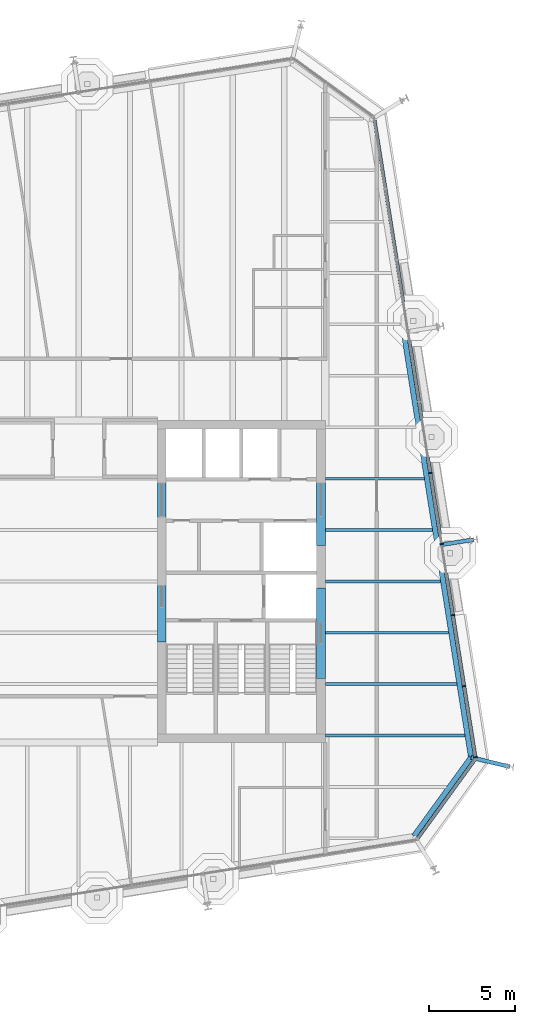
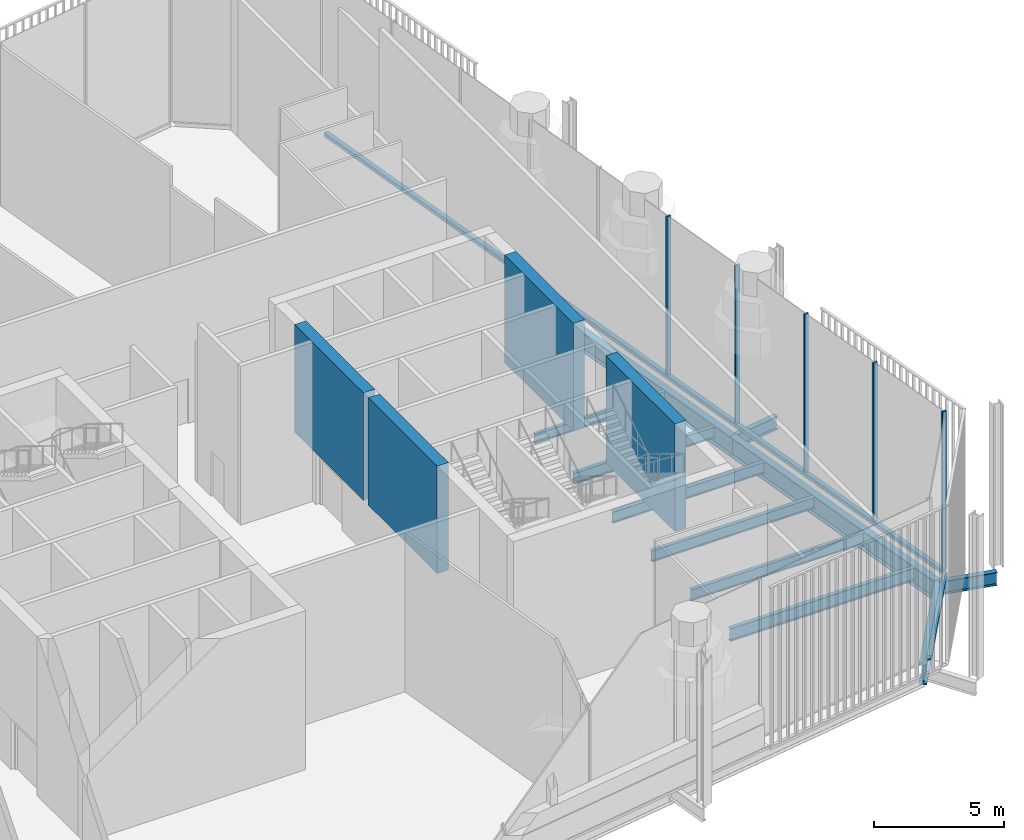
# One storey, part 6 of 17: 15 beams, 7 members, 2 elements without a shape of their own.
"""IFC4 building model written with IfcOpenShell, lengths in metres."""

from ifc_helpers import new_model, si_unit, direction, frame, origin, origin_2d, place, context, subcontext, project, spatial, rectangle, i_section, extrude, material, layer, layer_set, material_profile, profile_set, type_object, element, aggregate, save


model = new_model("IFC4")

# Units and contexts
model_context = context("Model", 3, precision=1e-05, world=origin(), true_north=direction((0.0, 1.0)))
body_context = subcontext(model_context, "Body", "Model", "MODEL_VIEW")
ifc_project = project(units=[si_unit("LENGTHUNIT", "METRE"), si_unit("AREAUNIT", "SQUARE_METRE"), si_unit("VOLUMEUNIT", "CUBIC_METRE"), si_unit("PLANEANGLEUNIT", "RADIAN"), si_unit("MASSUNIT", "GRAM", prefix="KILO")], contexts=[model_context])

# Site, building, storey
site_placement = place(None, origin())
site = spatial("IfcSite", under=ifc_project, at=site_placement, CompositionType="ELEMENT")
building_placement = place(site_placement, origin())
building = spatial("IfcBuilding", under=site, at=building_placement, Name="Millrace Tower", CompositionType="ELEMENT")
storey_placement = place(building_placement, frame((0.0, 0.0, 239.800048828125)))
storey = spatial("IfcBuildingStorey", under=building, at=storey_placement, Name="L55", CompositionType="ELEMENT", Elevation=239.800048828125)

# Curtain wall, members
ifc_material_1 = material(Name="Aluminium and glass", Category="aluminium")
ifc_layer = layer(ifc_material_1, 0.199951171875)
ifc_layer_set = layer_set([ifc_layer], Name="Aluminium and glass")
curtain_wall_type = type_object("IfcCurtainWallType", Name="CW-4 sky garden winter glazing", PredefinedType="NOTDEFINED", material=ifc_layer_set)
placement = place(storey_placement, origin())
curtain_wall_1 = element("IfcCurtainWall", 1, at=placement, inside=storey, type_object=curtain_wall_type, Name="Curtain wall D-F04 L55", PredefinedType="NOTDEFINED")
ifc_material_2 = material(Name="Aluminium", Category="aluminium")
ifc_material_profile_1 = material_profile(ifc_material_2, rectangle(XDim=0.080078125, YDim=0.199951171875, at=origin_2d()))
ifc_profile_set_1 = profile_set([ifc_material_profile_1], Name="Aluminium")
member_type_1 = type_object("IfcMemberType", Name="CW-4 sky garden winter glazing mullion", PredefinedType="MULLION", material=ifc_profile_set_1)
member_1_placement = place(storey_placement, frame((23.166015625, -10.26416015625, 0.179931640625), z_axis=(0.0, 0.0, 1.0), x_axis=(-0.156434471884, 0.987688339511, 0.0)))
member_1 = element("IfcMember", 2, at=member_1_placement, type_object=member_type_1, Name="CW4 mullion D-F04.1", PredefinedType="MULLION", context=body_context, shape_type="SweptSolid", body=[
    extrude(rectangle(XDim=0.080078125, YDim=0.199951171875, at=origin_2d()), origin(), (0.0, 0.0, 1.0), 7.419921875),
])
member_2_placement = place(storey_placement, frame((22.509033203125, -6.115966796875, 0.179931640625), z_axis=(0.0, 0.0, 1.0), x_axis=(-0.156434471884, 0.987688339511, 0.0)))
member_2 = element("IfcMember", 3, at=member_2_placement, type_object=member_type_1, Name="CW4 mullion D-F04.2", PredefinedType="MULLION", context=body_context, shape_type="SweptSolid", body=[
    extrude(rectangle(XDim=0.080078125, YDim=0.199951171875, at=origin_2d()), origin(), (0.0, 0.0, 1.0), 7.419921875),
])
member_3_placement = place(storey_placement, frame((21.851806640625, -1.967529296875, 0.179931640625), z_axis=(0.0, 0.0, 1.0), x_axis=(-0.156434471884, 0.987688339511, 0.0)))
member_3 = element("IfcMember", 4, at=member_3_placement, type_object=member_type_1, Name="CW4 mullion D-F04.3", PredefinedType="MULLION", context=body_context, shape_type="SweptSolid", body=[
    extrude(rectangle(XDim=0.080078125, YDim=0.199951171875, at=origin_2d()), origin(), (0.0, 0.0, 1.0), 7.419921875),
])
member_4_placement = place(storey_placement, frame((21.19482421875, 2.1806640625, 0.179931640625), z_axis=(0.0, 0.0, 1.0), x_axis=(-0.156434471884, 0.987688339511, 0.0)))
member_4 = element("IfcMember", 5, at=member_4_placement, type_object=member_type_1, Name="CW4 mullion D-F04.4", PredefinedType="MULLION", context=body_context, shape_type="SweptSolid", body=[
    extrude(rectangle(XDim=0.080078125, YDim=0.199951171875, at=origin_2d()), origin(), (0.0, 0.0, 1.0), 7.419921875),
])
member_5_placement = place(storey_placement, frame((20.537841796875, 6.3291015625, 0.179931640625), z_axis=(0.0, 0.0, 1.0), x_axis=(-0.156434471884, 0.987688339511, 0.0)))
member_5 = element("IfcMember", 6, at=member_5_placement, type_object=member_type_1, Name="CW4 mullion D-F04.5", PredefinedType="MULLION", context=body_context, shape_type="SweptSolid", body=[
    extrude(rectangle(XDim=0.080078125, YDim=0.199951171875, at=origin_2d()), origin(), (0.0, 0.0, 1.0), 7.419921875),
])

# Curtain wall, member
curtain_wall_2 = element("IfcCurtainWall", 7, at=placement, inside=storey, type_object=curtain_wall_type, Name="Curtain wall D-F03 L55", PredefinedType="NOTDEFINED")
ifc_material_3 = material(Name="Aluminium", Category="aluminium")
ifc_material_profile_2 = material_profile(ifc_material_3, rectangle(XDim=0.199951171875, YDim=0.179931640625, at=origin_2d()))
ifc_profile_set_2 = profile_set([ifc_material_profile_2], Name="Aluminium")
member_type_2 = type_object("IfcMemberType", Name="CW-4 sky garden winter glazing transom", PredefinedType="USERDEFINED", material=ifc_profile_set_2)
member_6_placement = place(storey_placement, frame((19.804931640625, -14.988037109375, 0.08984375), z_axis=(0.587782670904, 0.809018869857, 0.0), x_axis=(-0.809018869857, 0.587782670904, 0.0)))
member_6 = element("IfcMember", 8, at=member_6_placement, type_object=member_type_2, Name="CW4 transom D-F03.1", ObjectType="TRANSOM", PredefinedType="USERDEFINED", context=body_context, shape_type="SweptSolid", body=[
    extrude(rectangle(XDim=0.199951171875, YDim=0.179931640625, at=origin_2d()), origin(), (0.0, 0.0, 1.0), 5.59814453125),
])
aggregate(curtain_wall_2, [member_6])

# Member
member_7_placement = place(storey_placement, frame((23.156494140625, -10.204833984375, 0.08984375), z_axis=(-0.156432359726, 0.987688674042, 0.0), x_axis=(-0.987688674042, -0.156432359726, 0.0)))
member_7 = element("IfcMember", 9, at=member_7_placement, type_object=member_type_2, Name="CW4 transom D-F04.1", ObjectType="TRANSOM", PredefinedType="USERDEFINED", context=body_context, shape_type="SweptSolid", body=[
    extrude(rectangle(XDim=0.199951171875, YDim=0.179931640625, at=origin_2d()), origin(), (0.0, 0.0, 1.0), 37.599853515625),
])

aggregate(curtain_wall_1, [member_1, member_2, member_3, member_4, member_5, member_7])

# Beams
ifc_material_4 = material(Name="Concrete C60", Category="concrete")
ifc_material_profile_3 = material_profile(ifc_material_4, rectangle(XDim=0.5, YDim=5.0400390625, at=origin_2d()))
ifc_profile_set_3 = profile_set([ifc_material_profile_3], Name="Concrete C60")
beam_type_1 = type_object("IfcBeamType", Name="Coupling beam 500 x 5040 Concrete C60, 1300 opening", PredefinedType="BEAM", material=ifc_profile_set_3)
for number, where, z_axis, x_axis, name in (
    (10, (14.14990234375, -0.384033203125, 4.919921875), (0.0, -1.0, 0.0), (1.0, 0.0, 0.0), "Coupling beam E L55"),
    (11, (4.85009765625, 1.74609375, 4.919921875), (0.0, -1.0, 0.0), (1.0, 0.0, 0.0), "Coupling beam E L55"),
):
    element("IfcBeam", number, at=place(storey_placement, frame(where, z_axis=z_axis, x_axis=x_axis)), inside=storey, type_object=beam_type_1, Name=name, PredefinedType="BEAM", context=body_context, shape_type="SweptSolid", body=[
        extrude(rectangle(XDim=0.5, YDim=5.0400390625, at=origin_2d()), origin(), (0.0, 0.0, 1.0), 5.2919921875),
    ])
ifc_material_5 = material(Name="Concrete C60", Category="concrete")
ifc_material_profile_4 = material_profile(ifc_material_5, rectangle(XDim=0.5, YDim=5.0400390625, at=origin_2d()))
ifc_profile_set_4 = profile_set([ifc_material_profile_4], Name="Concrete C60")
beam_type_2 = type_object("IfcBeamType", Name="Coupling beam 500 x 5040 Concrete C60, 2000 opening", PredefinedType="BEAM", material=ifc_profile_set_4)
for number, where, z_axis, x_axis, name in (
    (12, (14.14990234375, 7.39599609375, 4.919921875), (0.0, -1.0, 0.0), (1.0, 0.0, 0.0), "Coupling beam E L55"),
    (13, (4.85009765625, 7.39599609375, 4.919921875), (0.0, -1.0, 0.0), (1.0, 0.0, 0.0), "Coupling beam E L55"),
):
    element("IfcBeam", number, at=place(storey_placement, frame(where, z_axis=z_axis, x_axis=x_axis)), inside=storey, type_object=beam_type_2, Name=name, PredefinedType="BEAM", context=body_context, shape_type="SweptSolid", body=[
        extrude(rectangle(XDim=0.5, YDim=5.0400390625, at=origin_2d()), origin(), (0.0, 0.0, 1.0), 5.2919921875),
    ])
ifc_material_6 = material(Name="Steel ASTM A992 Grade 50", Category="steel")
ifc_material_profile_5 = material_profile(ifc_material_6, i_section(OverallWidth=0.15234375, OverallDepth=0.449462890625, WebThickness=0.007568359375, FlangeThickness=0.0107421875, FilletRadius=0.01025390625, at=origin_2d()))
ifc_profile_set_5 = profile_set([ifc_material_profile_5], Name="Steel ASTM A992 Grade 50")
beam_type_3 = type_object("IfcBeamType", Name="Floor beam W18x35", PredefinedType="JOIST", material=ifc_profile_set_5)
beam_1_placement = place(storey_placement, frame((14.39990234375, 6.0, -0.474853515625), z_axis=(1.0, 0.0, 0.0), x_axis=(0.0, 1.0, 0.0)))
element("IfcBeam", 14, at=beam_1_placement, inside=storey, type_object=beam_type_3, Name="BM-D-L55-S1-S022", PredefinedType="JOIST", context=body_context, shape_type="SweptSolid", body=[
    extrude(i_section(OverallWidth=0.15234375, OverallDepth=0.449462890625, WebThickness=0.007568359375, FlangeThickness=0.0107421875, FilletRadius=0.01025390625, at=origin_2d()), origin(), (0.0, 0.0, 1.0), 5.777587890625),
])
ifc_material_7 = material(Name="Steel ASTM A992 Grade 50", Category="steel")
ifc_material_profile_6 = material_profile(ifc_material_7, i_section(OverallWidth=0.1650390625, OverallDepth=0.52587890625, WebThickness=0.0087890625, FlangeThickness=0.011474609375, FilletRadius=0.0126953125, at=origin_2d()))
ifc_profile_set_6 = profile_set([ifc_material_profile_6], Name="Steel ASTM A992 Grade 50")
beam_type_4 = type_object("IfcBeamType", Name="Floor beam W21x44", PredefinedType="JOIST", material=ifc_profile_set_6)
beam_2_placement = place(storey_placement, frame((14.39990234375, -6.0, -0.512939453125), z_axis=(1.0, 0.0, 0.0), x_axis=(0.0, 1.0, 0.0)))
element("IfcBeam", 15, at=beam_2_placement, inside=storey, type_object=beam_type_4, Name="BM-D-L55-S1-S010", PredefinedType="JOIST", context=body_context, shape_type="SweptSolid", body=[
    extrude(i_section(OverallWidth=0.1650390625, OverallDepth=0.52587890625, WebThickness=0.0087890625, FlangeThickness=0.011474609375, FilletRadius=0.0126953125, at=origin_2d()), origin(), (0.0, 0.0, 1.0), 7.67822265625),
])
beam_3_placement = place(storey_placement, frame((14.39990234375, -3.0, -0.512939453125), z_axis=(1.0, 0.0, 0.0), x_axis=(0.0, 1.0, 0.0)))
element("IfcBeam", 16, at=beam_3_placement, inside=storey, type_object=beam_type_4, Name="BM-D-L55-S1-S013", PredefinedType="JOIST", context=body_context, shape_type="SweptSolid", body=[
    extrude(i_section(OverallWidth=0.1650390625, OverallDepth=0.52587890625, WebThickness=0.0087890625, FlangeThickness=0.011474609375, FilletRadius=0.0126953125, at=origin_2d()), origin(), (0.0, 0.0, 1.0), 7.203125),
])
beam_4_placement = place(storey_placement, frame((14.39990234375, 0.0, -0.512939453125), z_axis=(1.0, 0.0, 0.0), x_axis=(0.0, 1.0, 0.0)))
element("IfcBeam", 17, at=beam_4_placement, inside=storey, type_object=beam_type_4, Name="BM-D-L55-S1-S016", PredefinedType="JOIST", context=body_context, shape_type="SweptSolid", body=[
    extrude(i_section(OverallWidth=0.1650390625, OverallDepth=0.52587890625, WebThickness=0.0087890625, FlangeThickness=0.011474609375, FilletRadius=0.0126953125, at=origin_2d()), origin(), (0.0, 0.0, 1.0), 6.72802734375),
])
beam_5_placement = place(storey_placement, frame((14.39990234375, 3.0, -0.512939453125), z_axis=(1.0, 0.0, 0.0), x_axis=(0.0, 1.0, 0.0)))
element("IfcBeam", 18, at=beam_5_placement, inside=storey, type_object=beam_type_4, Name="BM-D-L55-S1-S019", PredefinedType="JOIST", context=body_context, shape_type="SweptSolid", body=[
    extrude(i_section(OverallWidth=0.1650390625, OverallDepth=0.52587890625, WebThickness=0.0087890625, FlangeThickness=0.011474609375, FilletRadius=0.0126953125, at=origin_2d()), origin(), (0.0, 0.0, 1.0), 6.252685546875),
])
ifc_material_8 = material(Name="Steel ASTM A992 Grade 50", Category="steel")
ifc_material_profile_7 = material_profile(ifc_material_8, i_section(OverallWidth=0.177978515625, OverallDepth=0.599365234375, WebThickness=0.010009765625, FlangeThickness=0.012939453125, FilletRadius=0.012939453125, at=origin_2d()))
ifc_profile_set_7 = profile_set([ifc_material_profile_7], Name="Steel ASTM A992 Grade 50")
beam_type_5 = type_object("IfcBeamType", Name="Floor beam W24x55", PredefinedType="JOIST", material=ifc_profile_set_7)
beam_6_placement = place(storey_placement, frame((14.39990234375, -9.0, -0.5498046875), z_axis=(1.0, 0.0, 0.0), x_axis=(0.0, 1.0, 0.0)))
element("IfcBeam", 19, at=beam_6_placement, inside=storey, type_object=beam_type_5, Name="BM-D-L55-S1-S007", PredefinedType="JOIST", context=body_context, shape_type="SweptSolid", body=[
    extrude(i_section(OverallWidth=0.177978515625, OverallDepth=0.599365234375, WebThickness=0.010009765625, FlangeThickness=0.012939453125, FilletRadius=0.012939453125, at=origin_2d()), origin(), (0.0, 0.0, 1.0), 8.1533203125),
])
ifc_material_9 = material(Name="Steel ASTM A992 Grade 50", Category="steel")
ifc_material_profile_8 = material_profile(ifc_material_9, i_section(OverallWidth=0.23046875, OverallDepth=0.6171875, WebThickness=0.01318359375, FlangeThickness=0.022216796875, FilletRadius=0.012939453125, at=origin_2d()))
ifc_profile_set_8 = profile_set([ifc_material_profile_8], Name="Steel ASTM A992 Grade 50")
beam_type_6 = type_object("IfcBeamType", Name="Link beam W24x94", PredefinedType="BEAM", material=ifc_profile_set_8)
beam_7_placement = place(storey_placement, frame((21.102294921875, 2.12548828125, -0.55859375), z_axis=(0.987678691416, 0.156495375404, 0.0), x_axis=(-0.156495375404, 0.987678691416, 0.0)))
element("IfcBeam", 20, at=beam_7_placement, inside=storey, type_object=beam_type_6, Name="LNK-D-L55-S1-11", PredefinedType="BEAM", context=body_context, shape_type="SweptSolid", body=[
    extrude(i_section(OverallWidth=0.23046875, OverallDepth=0.6171875, WebThickness=0.01318359375, FlangeThickness=0.022216796875, FilletRadius=0.012939453125, at=origin_2d()), origin(), (0.0, 0.0, 1.0), 2.0),
])
beam_8_placement = place(storey_placement, frame((22.91162109375, -10.280517578125, -0.55859375), z_axis=(0.972373041068, -0.233432364948, 0.0), x_axis=(0.233432364948, 0.972373041068, 0.0)))
element("IfcBeam", 21, at=beam_8_placement, inside=storey, type_object=beam_type_6, Name="LNK-D-L55-S1-12", PredefinedType="BEAM", context=body_context, shape_type="SweptSolid", body=[
    extrude(i_section(OverallWidth=0.23046875, OverallDepth=0.6171875, WebThickness=0.01318359375, FlangeThickness=0.022216796875, FilletRadius=0.012939453125, at=origin_2d()), origin(), (0.0, 0.0, 1.0), 2.331298828125),
])
ifc_material_10 = material(Name="Steel ASTM A992 Grade 50", Category="steel")
ifc_material_profile_9 = material_profile(ifc_material_10, i_section(OverallWidth=0.307373046875, OverallDepth=0.927001953125, WebThickness=0.01953125, FlangeThickness=0.031982421875, FilletRadius=0.01904296875, at=origin_2d()))
ifc_profile_set_9 = profile_set([ifc_material_profile_9], Name="Steel ASTM A992 Grade 50")
beam_type_7 = type_object("IfcBeamType", Name="Ring beam medium span W36x194", PredefinedType="SPANDREL", material=ifc_profile_set_9)
beam_9_placement = place(storey_placement, frame((18.9794921875, 14.54638671875, -0.713623046875), z_axis=(0.1564441342, -0.987686809102, 0.0), x_axis=(0.987686809102, 0.1564441342, 0.0)))
element("IfcBeam", 22, at=beam_9_placement, inside=storey, type_object=beam_type_7, Name="RNG-D-L55-S1-10", PredefinedType="SPANDREL", context=body_context, shape_type="SweptSolid", body=[
    extrude(i_section(OverallWidth=0.307373046875, OverallDepth=0.927001953125, WebThickness=0.01953125, FlangeThickness=0.031982421875, FilletRadius=0.01904296875, at=origin_2d()), origin(), (0.0, 0.0, 1.0), 12.599853515625),
])
beam_10_placement = place(storey_placement, frame((20.95068359375, 2.1015625, -0.713623046875), z_axis=(0.156419577072, -0.987690698503, 0.0), x_axis=(0.987690698503, 0.156419577072, 0.0)))
element("IfcBeam", 23, at=beam_10_placement, inside=storey, type_object=beam_type_7, Name="RNG-D-L55-S1-11", PredefinedType="SPANDREL", context=body_context, shape_type="SweptSolid", body=[
    extrude(i_section(OverallWidth=0.307373046875, OverallDepth=0.927001953125, WebThickness=0.01953125, FlangeThickness=0.031982421875, FilletRadius=0.01904296875, at=origin_2d()), origin(), (0.0, 0.0, 1.0), 12.536376953125),
])
ifc_material_11 = material(Name="Steel ASTM A992 Grade 50", Category="steel")
ifc_material_profile_10 = material_profile(ifc_material_11, i_section(OverallWidth=0.307373046875, OverallDepth=0.927001953125, WebThickness=0.01953125, FlangeThickness=0.031982421875, FilletRadius=0.01904296875, at=origin_2d()))
ifc_profile_set_10 = profile_set([ifc_material_profile_10], Name="Steel ASTM A992 Grade 50")
beam_type_8 = type_object("IfcBeamType", Name="Ring beam short span W36x194", PredefinedType="SPANDREL", material=ifc_profile_set_10)
beam_11_placement = place(storey_placement, frame((22.91162109375, -10.280517578125, -0.713623046875), z_axis=(-0.587779977844, -0.80902082646, 0.0), x_axis=(0.80902082646, -0.587779977844, 0.0)))
element("IfcBeam", 24, at=beam_11_placement, inside=storey, type_object=beam_type_8, Name="RNG-D-L55-S1-12", PredefinedType="SPANDREL", context=body_context, shape_type="SweptSolid", body=[
    extrude(i_section(OverallWidth=0.307373046875, OverallDepth=0.927001953125, WebThickness=0.01953125, FlangeThickness=0.031982421875, FilletRadius=0.01904296875, at=origin_2d()), origin(), (0.0, 0.0, 1.0), 5.6708984375),
])

save(model, "model.ifc")
